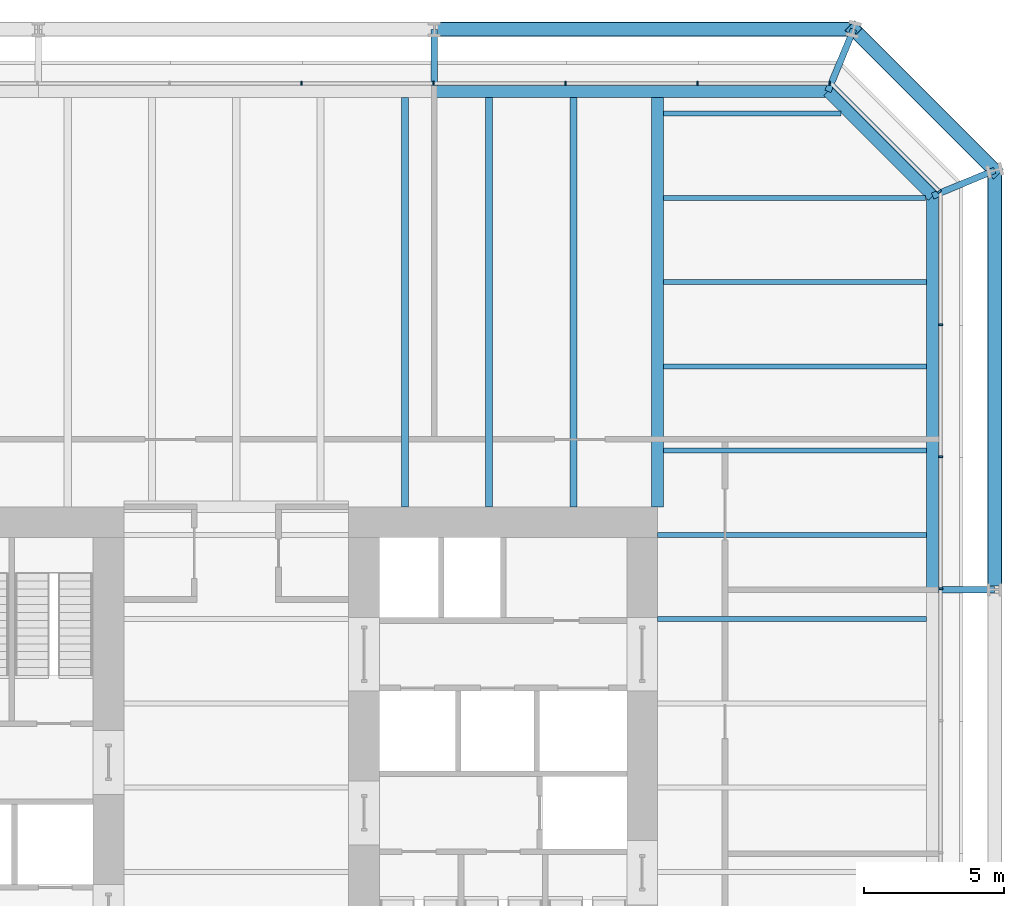
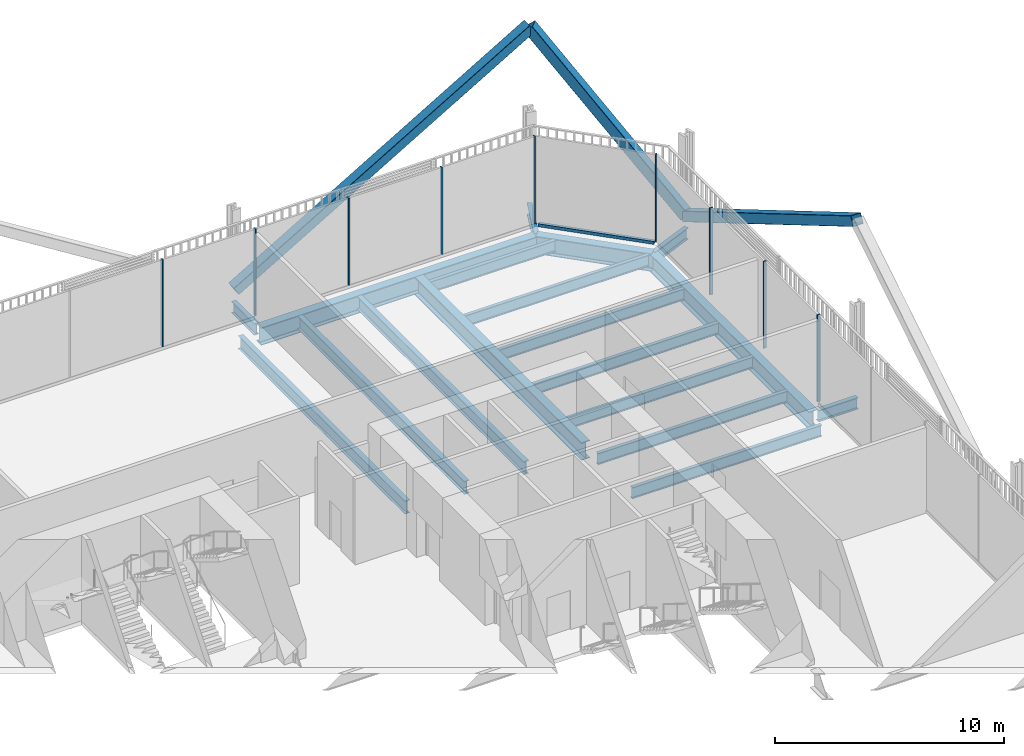
# One storey, part 16 of 22: 18 beams, 13 members, 3 elements without a shape of their own.
"""IFC4 building model written with IfcOpenShell, lengths in metres."""

from ifc_helpers import new_model, si_unit, direction, frame, origin, origin_2d, place, context, subcontext, project, spatial, rectangle, hollow_rectangle, i_section, extrude, material, layer, layer_set, material_profile, profile_set, type_object, element, aggregate, save


model = new_model("IFC4")

# Units and contexts
model_context = context("Model", 3, precision=1e-05, world=origin(), true_north=direction((0.0, 1.0)))
body_context = subcontext(model_context, "Body", "Model", "MODEL_VIEW")
ifc_project = project(units=[si_unit("LENGTHUNIT", "METRE"), si_unit("AREAUNIT", "SQUARE_METRE"), si_unit("VOLUMEUNIT", "CUBIC_METRE"), si_unit("PLANEANGLEUNIT", "RADIAN"), si_unit("MASSUNIT", "GRAM", prefix="KILO")], contexts=[model_context])

# Site, building, storey
site_placement = place(None, origin())
site = spatial("IfcSite", under=ifc_project, at=site_placement, CompositionType="ELEMENT")
building_placement = place(site_placement, origin())
building = spatial("IfcBuilding", under=site, at=building_placement, Name="Millrace Tower", CompositionType="ELEMENT")
storey_placement = place(building_placement, frame((0.0, 0.0, 54.5)))
storey = spatial("IfcBuildingStorey", under=building, at=storey_placement, Name="L12", CompositionType="ELEMENT", Elevation=54.5)

# Curtain wall, members
ifc_material_1 = material(Name="Aluminium and glass", Category="aluminium")
ifc_layer = layer(ifc_material_1, 0.14990234375)
ifc_layer_set = layer_set([ifc_layer], Name="Aluminium and glass")
curtain_wall_type = type_object("IfcCurtainWallType", Name="CW-2 data hall insulated curtain wall", PredefinedType="NOTDEFINED", material=ifc_layer_set)
placement = place(storey_placement, origin())
curtain_wall_1 = element("IfcCurtainWall", 1, at=placement, inside=storey, type_object=curtain_wall_type, Name="Curtain wall A-F04 L12", PredefinedType="NOTDEFINED")
ifc_material_2 = material(Name="Aluminium", Category="aluminium")
ifc_material_profile_1 = material_profile(ifc_material_2, rectangle(XDim=0.06494140625, YDim=0.14990234375, at=origin_2d()))
ifc_profile_set_1 = profile_set([ifc_material_profile_1], Name="Aluminium")
member_type_1 = type_object("IfcMemberType", Name="CW-2 data hall insulated curtain wall mullion", PredefinedType="MULLION", material=ifc_profile_set_1)
member_1_placement = place(storey_placement, frame((25.074951171875, 7.08251953125, 0.159912109375), z_axis=(0.0, 0.0, 1.0), x_axis=(0.0, 1.0, 0.0)))
member_1 = element("IfcMember", 2, at=member_1_placement, type_object=member_type_1, Name="CW2 mullion A-F04.7", PredefinedType="MULLION", context=body_context, shape_type="SweptSolid", body=[
    extrude(rectangle(XDim=0.06494140625, YDim=0.14990234375, at=origin_2d()), origin(), (0.0, 0.0, 1.0), 4.64013671875),
])
member_2_placement = place(storey_placement, frame((25.074951171875, 11.782470703125, 0.159912109375), z_axis=(0.0, 0.0, 1.0), x_axis=(0.0, 1.0, 0.0)))
member_2 = element("IfcMember", 3, at=member_2_placement, type_object=member_type_1, Name="CW2 mullion A-F04.8", PredefinedType="MULLION", context=body_context, shape_type="SweptSolid", body=[
    extrude(rectangle(XDim=0.06494140625, YDim=0.14990234375, at=origin_2d()), origin(), (0.0, 0.0, 1.0), 4.64013671875),
])
member_3_placement = place(storey_placement, frame((25.074951171875, 16.482421875, 0.159912109375), z_axis=(0.0, 0.0, 1.0), x_axis=(0.0, 1.0, 0.0)))
member_3 = element("IfcMember", 4, at=member_3_placement, type_object=member_type_1, Name="CW2 mullion A-F04.9", PredefinedType="MULLION", context=body_context, shape_type="SweptSolid", body=[
    extrude(rectangle(XDim=0.06494140625, YDim=0.14990234375, at=origin_2d()), origin(), (0.0, 0.0, 1.0), 4.64013671875),
])
aggregate(curtain_wall_1, [member_1, member_2, member_3])

# Curtain wall, member
curtain_wall_2 = element("IfcCurtainWall", 5, at=placement, inside=storey, type_object=curtain_wall_type, Name="Curtain wall A-F05 L12", PredefinedType="NOTDEFINED")
member_4_placement = place(storey_placement, frame((25.030029296875, 21.22607421875, 0.159912109375), z_axis=(0.0, 0.0, 1.0), x_axis=(-0.707106781187, 0.707106781187, 0.0)))
member_4 = element("IfcMember", 6, at=member_4_placement, type_object=member_type_1, Name="CW2 mullion A-F05.1", PredefinedType="MULLION", context=body_context, shape_type="SweptSolid", body=[
    extrude(rectangle(XDim=0.06494140625, YDim=0.14990234375, at=origin_2d()), origin(), (0.0, 0.0, 1.0), 4.64013671875),
])

# Curtain wall, members
curtain_wall_3 = element("IfcCurtainWall", 7, at=placement, inside=storey, type_object=curtain_wall_type, Name="Curtain wall A-F06 L12", PredefinedType="NOTDEFINED")
member_5_placement = place(storey_placement, frame((21.117431640625, 25.074951171875, 0.159912109375), z_axis=(0.0, 0.0, 1.0), x_axis=(-1.0, 0.0, 0.0)))
member_5 = element("IfcMember", 8, at=member_5_placement, type_object=member_type_1, Name="CW2 mullion A-F06.1", PredefinedType="MULLION", context=body_context, shape_type="SweptSolid", body=[
    extrude(rectangle(XDim=0.06494140625, YDim=0.14990234375, at=origin_2d()), origin(), (0.0, 0.0, 1.0), 4.64013671875),
])
member_6_placement = place(storey_placement, frame((16.41748046875, 25.074951171875, 0.159912109375), z_axis=(0.0, 0.0, 1.0), x_axis=(-1.0, 0.0, 0.0)))
member_6 = element("IfcMember", 9, at=member_6_placement, type_object=member_type_1, Name="CW2 mullion A-F06.2", PredefinedType="MULLION", context=body_context, shape_type="SweptSolid", body=[
    extrude(rectangle(XDim=0.06494140625, YDim=0.14990234375, at=origin_2d()), origin(), (0.0, 0.0, 1.0), 4.64013671875),
])
member_7_placement = place(storey_placement, frame((11.717529296875, 25.074951171875, 0.159912109375), z_axis=(0.0, 0.0, 1.0), x_axis=(-1.0, 0.0, 0.0)))
member_7 = element("IfcMember", 10, at=member_7_placement, type_object=member_type_1, Name="CW2 mullion A-F06.3", PredefinedType="MULLION", context=body_context, shape_type="SweptSolid", body=[
    extrude(rectangle(XDim=0.06494140625, YDim=0.14990234375, at=origin_2d()), origin(), (0.0, 0.0, 1.0), 4.64013671875),
])
member_8_placement = place(storey_placement, frame((7.017578125, 25.074951171875, 0.159912109375), z_axis=(0.0, 0.0, 1.0), x_axis=(-1.0, 0.0, 0.0)))
member_8 = element("IfcMember", 11, at=member_8_placement, type_object=member_type_1, Name="CW2 mullion A-F06.4", PredefinedType="MULLION", context=body_context, shape_type="SweptSolid", body=[
    extrude(rectangle(XDim=0.06494140625, YDim=0.14990234375, at=origin_2d()), origin(), (0.0, 0.0, 1.0), 4.64013671875),
])
member_9_placement = place(storey_placement, frame((2.3173828125, 25.074951171875, 0.159912109375), z_axis=(0.0, 0.0, 1.0), x_axis=(-1.0, 0.0, 0.0)))
member_9 = element("IfcMember", 12, at=member_9_placement, type_object=member_type_1, Name="CW2 mullion A-F06.5", PredefinedType="MULLION", context=body_context, shape_type="SweptSolid", body=[
    extrude(rectangle(XDim=0.06494140625, YDim=0.14990234375, at=origin_2d()), origin(), (0.0, 0.0, 1.0), 4.64013671875),
])
aggregate(curtain_wall_3, [member_5, member_6, member_7, member_8, member_9])

# Member
ifc_material_3 = material(Name="Aluminium", Category="aluminium")
ifc_material_profile_2 = material_profile(ifc_material_3, rectangle(XDim=0.14990234375, YDim=0.159912109375, at=origin_2d()))
ifc_profile_set_2 = profile_set([ifc_material_profile_2], Name="Aluminium")
member_type_2 = type_object("IfcMemberType", Name="CW-2 data hall insulated curtain wall transom", PredefinedType="USERDEFINED", material=ifc_profile_set_2)
member_10_placement = place(storey_placement, frame((24.982421875, 21.273681640625, 0.080078125), z_axis=(-0.707106781187, 0.707106781187, 0.0), x_axis=(-0.707106781187, -0.707106781187, 0.0)))
member_10 = element("IfcMember", 13, at=member_10_placement, type_object=member_type_2, Name="CW2 transom A-F05.1", ObjectType="TRANSOM", PredefinedType="USERDEFINED", context=body_context, shape_type="SweptSolid", body=[
    extrude(rectangle(XDim=0.14990234375, YDim=0.159912109375, at=origin_2d()), origin(), (0.0, 0.0, 1.0), 5.244873046875),
])

aggregate(curtain_wall_2, [member_4, member_10])

# Members
ifc_material_4 = material(Name="Steel ASTM A500 Grade C", Category="steel")
ifc_material_profile_3 = material_profile(ifc_material_4, hollow_rectangle(XDim=0.508056640625, YDim=0.508056640625, WallThickness=0.01904296875, InnerFilletRadius=0.009521484375, OuterFilletRadius=0.028564453125, at=origin_2d()))
ifc_profile_set_3 = profile_set([ifc_material_profile_3], Name="Steel ASTM A500 Grade C")
member_type_3 = type_object("IfcMemberType", Name="Exoskeleton brace HSS20x20x3/4", PredefinedType="BRACE", material=ifc_profile_set_3)
member_11_placement = place(storey_placement, frame((27.0, 21.978515625, 0.39990234375), z_axis=(0.0, -0.861464835883, 0.507817227491), x_axis=(1.0, 0.0, 0.0)))
element("IfcMember", 14, at=member_11_placement, inside=storey, type_object=member_type_3, Name="BRC-A-L12-08", PredefinedType="BRACE", context=body_context, shape_type="SweptSolid", body=[
    extrude(hollow_rectangle(XDim=0.508056640625, YDim=0.508056640625, WallThickness=0.01904296875, InnerFilletRadius=0.009521484375, OuterFilletRadius=0.028564453125, at=origin_2d()), origin(), (0.0, 0.0, 1.0), 17.3291015625),
])
member_12_placement = place(storey_placement, frame((27.0, 21.978515625, 0.39990234375), z_axis=(-0.444063713793, 0.444063713793, 0.77821259061), x_axis=(-0.707106781187, -0.707106781187, 0.0)))
element("IfcMember", 15, at=member_12_placement, inside=storey, type_object=member_type_3, Name="BRC-A-L12-09", PredefinedType="BRACE", context=body_context, shape_type="SweptSolid", body=[
    extrude(hollow_rectangle(XDim=0.508056640625, YDim=0.508056640625, WallThickness=0.01904296875, InnerFilletRadius=0.009521484375, OuterFilletRadius=0.028564453125, at=origin_2d()), origin(), (0.0, 0.0, 1.0), 11.30810546875),
])
member_13_placement = place(storey_placement, frame((7.050048828125, 27.0, 0.39990234375), z_axis=(0.861464835883, 0.0, 0.507817227491), x_axis=(0.0, 1.0, 0.0)))
element("IfcMember", 16, at=member_13_placement, inside=storey, type_object=member_type_3, Name="BRC-A-L12-10", PredefinedType="BRACE", context=body_context, shape_type="SweptSolid", body=[
    extrude(hollow_rectangle(XDim=0.508056640625, YDim=0.508056640625, WallThickness=0.01904296875, InnerFilletRadius=0.009521484375, OuterFilletRadius=0.028564453125, at=origin_2d()), origin(), (0.0, 0.0, 1.0), 17.3291015625),
])

# Beams
ifc_material_5 = material(Name="Steel ASTM A992 Grade 50", Category="steel")
ifc_material_profile_4 = material_profile(ifc_material_5, i_section(OverallWidth=0.177978515625, OverallDepth=0.599365234375, WebThickness=0.010009765625, FlangeThickness=0.012939453125, FilletRadius=0.012939453125, at=origin_2d()))
ifc_profile_set_4 = profile_set([ifc_material_profile_4], Name="Steel ASTM A992 Grade 50")
beam_type_1 = type_object("IfcBeamType", Name="Floor beam W24x55", PredefinedType="JOIST", material=ifc_profile_set_4)
beam_1_placement = place(storey_placement, frame((15.212158203125, 24.0, -0.524658203125), z_axis=(1.0, 0.0, 0.0), x_axis=(0.0, 1.0, 0.0)))
element("IfcBeam", 17, at=beam_1_placement, inside=storey, type_object=beam_type_1, Name="BM-A-L12-S1-S041", PredefinedType="JOIST", context=body_context, shape_type="SweptSolid", body=[
    extrude(i_section(OverallWidth=0.177978515625, OverallDepth=0.599365234375, WebThickness=0.010009765625, FlangeThickness=0.012939453125, FilletRadius=0.012939453125, at=origin_2d()), origin(), (0.0, 0.0, 1.0), 6.317626953125),
])
ifc_material_6 = material(Name="Steel ASTM A992 Grade 50", Category="steel")
ifc_material_profile_5 = material_profile(ifc_material_6, i_section(OverallWidth=0.1787109375, OverallDepth=0.60205078125, WebThickness=0.010986328125, FlangeThickness=0.014892578125, FilletRadius=0.0126953125, at=origin_2d()))
ifc_profile_set_5 = profile_set([ifc_material_profile_5], Name="Steel ASTM A992 Grade 50")
beam_type_2 = type_object("IfcBeamType", Name="Floor beam W24x62", PredefinedType="JOIST", material=ifc_profile_set_5)
for number, where, z_axis, x_axis, name in (
    (18, (15.0, 6.0, -0.52587890625), (1.0, 0.0, 0.0), (0.0, 1.0, 0.0), "BM-A-L12-S1-S028"),
    (19, (15.0, 9.0, -0.52587890625), (1.0, 0.0, 0.0), (0.0, 1.0, 0.0), "BM-A-L12-S1-S031"),
):
    element("IfcBeam", number, at=place(storey_placement, frame(where, z_axis=z_axis, x_axis=x_axis)), inside=storey, type_object=beam_type_2, Name=name, PredefinedType="JOIST", context=body_context, shape_type="SweptSolid", body=[
        extrude(i_section(OverallWidth=0.1787109375, OverallDepth=0.60205078125, WebThickness=0.010986328125, FlangeThickness=0.014892578125, FilletRadius=0.0126953125, at=origin_2d()), origin(), (0.0, 0.0, 1.0), 9.578369140625),
    ])
for number, where, z_axis, x_axis, name in (
    (20, (15.212158203125, 12.0, -0.52587890625), (1.0, 0.0, 0.0), (0.0, 1.0, 0.0), "BM-A-L12-S1-S033"),
    (21, (15.212158203125, 15.0, -0.52587890625), (1.0, 0.0, 0.0), (0.0, 1.0, 0.0), "BM-A-L12-S1-S035"),
    (22, (15.212158203125, 18.0, -0.52587890625), (1.0, 0.0, 0.0), (0.0, 1.0, 0.0), "BM-A-L12-S1-S037"),
):
    element("IfcBeam", number, at=place(storey_placement, frame(where, z_axis=z_axis, x_axis=x_axis)), inside=storey, type_object=beam_type_2, Name=name, PredefinedType="JOIST", context=body_context, shape_type="SweptSolid", body=[
        extrude(i_section(OverallWidth=0.1787109375, OverallDepth=0.60205078125, WebThickness=0.010986328125, FlangeThickness=0.014892578125, FilletRadius=0.0126953125, at=origin_2d()), origin(), (0.0, 0.0, 1.0), 9.3662109375),
    ])
beam_2_placement = place(storey_placement, frame((15.212158203125, 21.0, -0.52587890625), z_axis=(1.0, 0.0, 0.0), x_axis=(0.0, 1.0, 0.0)))
element("IfcBeam", 23, at=beam_2_placement, inside=storey, type_object=beam_type_2, Name="BM-A-L12-S1-S039", PredefinedType="JOIST", context=body_context, shape_type="SweptSolid", body=[
    extrude(i_section(OverallWidth=0.1787109375, OverallDepth=0.60205078125, WebThickness=0.010986328125, FlangeThickness=0.014892578125, FilletRadius=0.0126953125, at=origin_2d()), origin(), (0.0, 0.0, 1.0), 9.317626953125),
])
ifc_material_7 = material(Name="Steel ASTM A992 Grade 50", Category="steel")
ifc_material_profile_6 = material_profile(ifc_material_7, i_section(OverallWidth=0.256591796875, OverallDepth=0.693359375, WebThickness=0.014404296875, FlangeThickness=0.023681640625, FilletRadius=0.01513671875, at=origin_2d()))
ifc_profile_set_6 = profile_set([ifc_material_profile_6], Name="Steel ASTM A992 Grade 50")
beam_type_3 = type_object("IfcBeamType", Name="Floor beam W27x114", PredefinedType="JOIST", material=ifc_profile_set_6)
for number, where, z_axis, x_axis, name in (
    (24, (6.0, 10.0, -0.57177734375), (0.0, 1.0, 0.0), (-1.0, 0.0, 0.0), "BM-A-L12-S1-S054"),
    (25, (9.0, 10.0, -0.57177734375), (0.0, 1.0, 0.0), (-1.0, 0.0, 0.0), "BM-A-L12-S1-S056"),
    (26, (12.0, 10.0, -0.57177734375), (0.0, 1.0, 0.0), (-1.0, 0.0, 0.0), "BM-A-L12-S1-S058"),
):
    element("IfcBeam", number, at=place(storey_placement, frame(where, z_axis=z_axis, x_axis=x_axis)), inside=storey, type_object=beam_type_3, Name=name, PredefinedType="JOIST", context=body_context, shape_type="SweptSolid", body=[
        extrude(i_section(OverallWidth=0.256591796875, OverallDepth=0.693359375, WebThickness=0.014404296875, FlangeThickness=0.023681640625, FilletRadius=0.01513671875, at=origin_2d()), origin(), (0.0, 0.0, 1.0), 14.578369140625),
    ])
ifc_material_8 = material(Name="Steel ASTM A992 Grade 50", Category="steel")
ifc_material_profile_7 = material_profile(ifc_material_8, i_section(OverallWidth=0.424072265625, OverallDepth=0.947509765625, WebThickness=0.02392578125, FlangeThickness=0.042724609375, FilletRadius=0.024169921875, at=origin_2d()))
ifc_profile_set_7 = profile_set([ifc_material_profile_7], Name="Steel ASTM A992 Grade 50")
beam_type_4 = type_object("IfcBeamType", Name="Girder medium span W36x302", PredefinedType="BEAM", material=ifc_profile_set_7)
beam_3_placement = place(storey_placement, frame((15.0, 10.0, -0.69873046875), z_axis=(0.0, 1.0, 0.0), x_axis=(-1.0, 0.0, 0.0)))
element("IfcBeam", 27, at=beam_3_placement, inside=storey, type_object=beam_type_4, Name="BM-A-L12-S1-G062", PredefinedType="BEAM", context=body_context, shape_type="SweptSolid", body=[
    extrude(i_section(OverallWidth=0.424072265625, OverallDepth=0.947509765625, WebThickness=0.02392578125, FlangeThickness=0.042724609375, FilletRadius=0.024169921875, at=origin_2d()), origin(), (0.0, 0.0, 1.0), 14.578369140625),
])
ifc_material_9 = material(Name="Steel ASTM A992 Grade 50", Category="steel")
ifc_material_profile_8 = material_profile(ifc_material_9, i_section(OverallWidth=0.23046875, OverallDepth=0.6171875, WebThickness=0.01318359375, FlangeThickness=0.022216796875, FilletRadius=0.012939453125, at=origin_2d()))
ifc_profile_set_8 = profile_set([ifc_material_profile_8], Name="Steel ASTM A992 Grade 50")
beam_type_5 = type_object("IfcBeamType", Name="Link beam W24x94", PredefinedType="BEAM", material=ifc_profile_set_8)
beam_4_placement = place(storey_placement, frame((7.050048828125, 25.0, -0.53369140625), z_axis=(0.0, 1.0, 0.0), x_axis=(-1.0, 0.0, 0.0)))
element("IfcBeam", 28, at=beam_4_placement, inside=storey, type_object=beam_type_5, Name="LNK-A-L12-S1-07", PredefinedType="BEAM", context=body_context, shape_type="SweptSolid", body=[
    extrude(i_section(OverallWidth=0.23046875, OverallDepth=0.6171875, WebThickness=0.01318359375, FlangeThickness=0.022216796875, FilletRadius=0.012939453125, at=origin_2d()), origin(), (0.0, 0.0, 1.0), 2.0),
])
for number, where, z_axis, x_axis, name in (
    (29, (21.062744140625, 24.7890625, -0.53369140625), (0.382673155247, 0.923883789366, 0.0), (-0.923883789366, 0.382673155247, 0.0), "LNK-A-L12-S1-08"),
    (30, (24.7890625, 21.062744140625, -0.53369140625), (0.923883789366, 0.382673155247, 0.0), (-0.382673155247, 0.923883789366, 0.0), "LNK-A-L12-S1-09"),
):
    element("IfcBeam", number, at=place(storey_placement, frame(where, z_axis=z_axis, x_axis=x_axis)), inside=storey, type_object=beam_type_5, Name=name, PredefinedType="BEAM", context=body_context, shape_type="SweptSolid", body=[
        extrude(i_section(OverallWidth=0.23046875, OverallDepth=0.6171875, WebThickness=0.01318359375, FlangeThickness=0.022216796875, FilletRadius=0.012939453125, at=origin_2d()), origin(), (0.0, 0.0, 1.0), 2.39306640625),
    ])
beam_5_placement = place(storey_placement, frame((25.0, 7.050048828125, -0.53369140625), z_axis=(1.0, 0.0, 0.0), x_axis=(0.0, 1.0, 0.0)))
element("IfcBeam", 31, at=beam_5_placement, inside=storey, type_object=beam_type_5, Name="LNK-A-L12-S1-10", PredefinedType="BEAM", context=body_context, shape_type="SweptSolid", body=[
    extrude(i_section(OverallWidth=0.23046875, OverallDepth=0.6171875, WebThickness=0.01318359375, FlangeThickness=0.022216796875, FilletRadius=0.012939453125, at=origin_2d()), origin(), (0.0, 0.0, 1.0), 2.0),
])
ifc_material_10 = material(Name="Steel ASTM A992 Grade 50", Category="steel")
ifc_material_profile_9 = material_profile(ifc_material_10, i_section(OverallWidth=0.421630859375, OverallDepth=0.937255859375, WebThickness=0.021240234375, FlangeThickness=0.03662109375, FilletRadius=0.024169921875, at=origin_2d()))
ifc_profile_set_9 = profile_set([ifc_material_profile_9], Name="Steel ASTM A992 Grade 50")
beam_type_6 = type_object("IfcBeamType", Name="Ring beam medium span W36x262", PredefinedType="SPANDREL", material=ifc_profile_set_9)
for number, where, z_axis, x_axis, name in (
    (32, (7.050048828125, 24.7890625, -0.693603515625), (1.0, 0.0, 0.0), (0.0, 1.0, 0.0), "RNG-A-L12-S1-07"),
    (33, (24.7890625, 21.062744140625, -0.693603515625), (0.0, -1.0, 0.0), (1.0, 0.0, 0.0), "RNG-A-L12-S1-09"),
):
    element("IfcBeam", number, at=place(storey_placement, frame(where, z_axis=z_axis, x_axis=x_axis)), inside=storey, type_object=beam_type_6, Name=name, PredefinedType="SPANDREL", context=body_context, shape_type="SweptSolid", body=[
        extrude(i_section(OverallWidth=0.421630859375, OverallDepth=0.937255859375, WebThickness=0.021240234375, FlangeThickness=0.03662109375, FilletRadius=0.024169921875, at=origin_2d()), origin(), (0.0, 0.0, 1.0), 14.0126953125),
    ])
ifc_material_11 = material(Name="Steel ASTM A992 Grade 50", Category="steel")
ifc_material_profile_10 = material_profile(ifc_material_11, i_section(OverallWidth=0.421630859375, OverallDepth=0.937255859375, WebThickness=0.021240234375, FlangeThickness=0.03662109375, FilletRadius=0.024169921875, at=origin_2d()))
ifc_profile_set_10 = profile_set([ifc_material_profile_10], Name="Steel ASTM A992 Grade 50")
beam_type_7 = type_object("IfcBeamType", Name="Ring beam short span W36x262", PredefinedType="SPANDREL", material=ifc_profile_set_10)
beam_6_placement = place(storey_placement, frame((21.062744140625, 24.7890625, -0.693603515625), z_axis=(0.707106781187, -0.707106781187, 0.0), x_axis=(0.707106781187, 0.707106781187, 0.0)))
element("IfcBeam", 34, at=beam_6_placement, inside=storey, type_object=beam_type_7, Name="RNG-A-L12-S1-08", PredefinedType="SPANDREL", context=body_context, shape_type="SweptSolid", body=[
    extrude(i_section(OverallWidth=0.421630859375, OverallDepth=0.937255859375, WebThickness=0.021240234375, FlangeThickness=0.03662109375, FilletRadius=0.024169921875, at=origin_2d()), origin(), (0.0, 0.0, 1.0), 5.269775390625),
])

save(model, "model.ifc")
